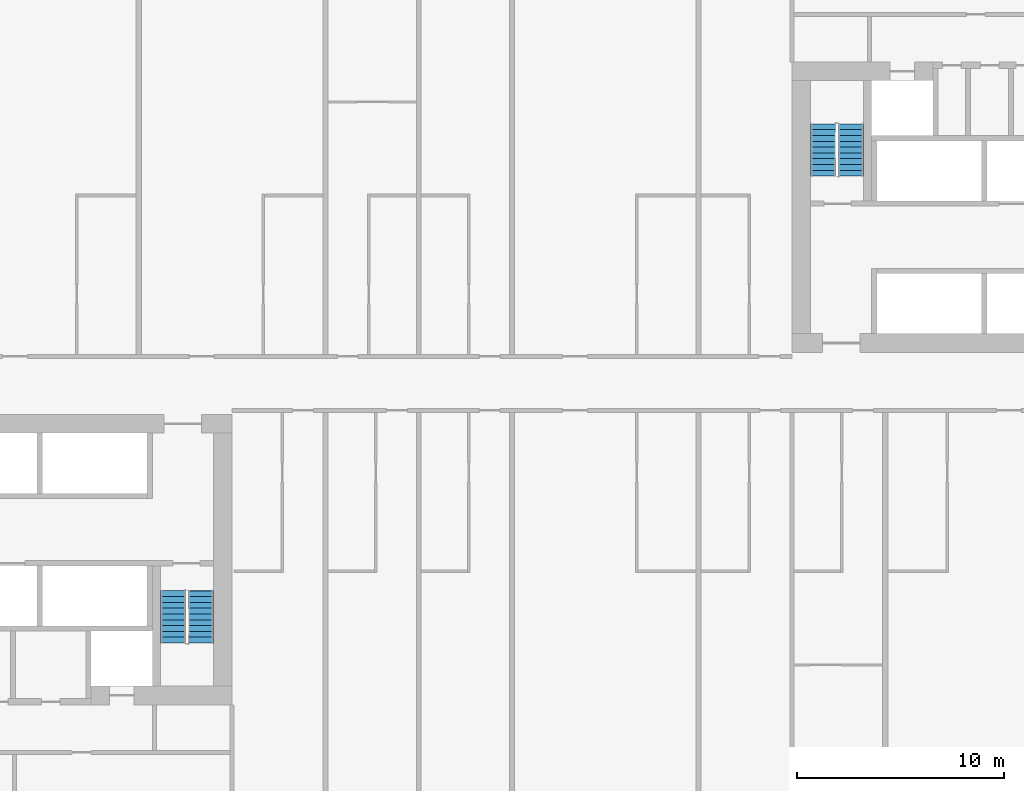
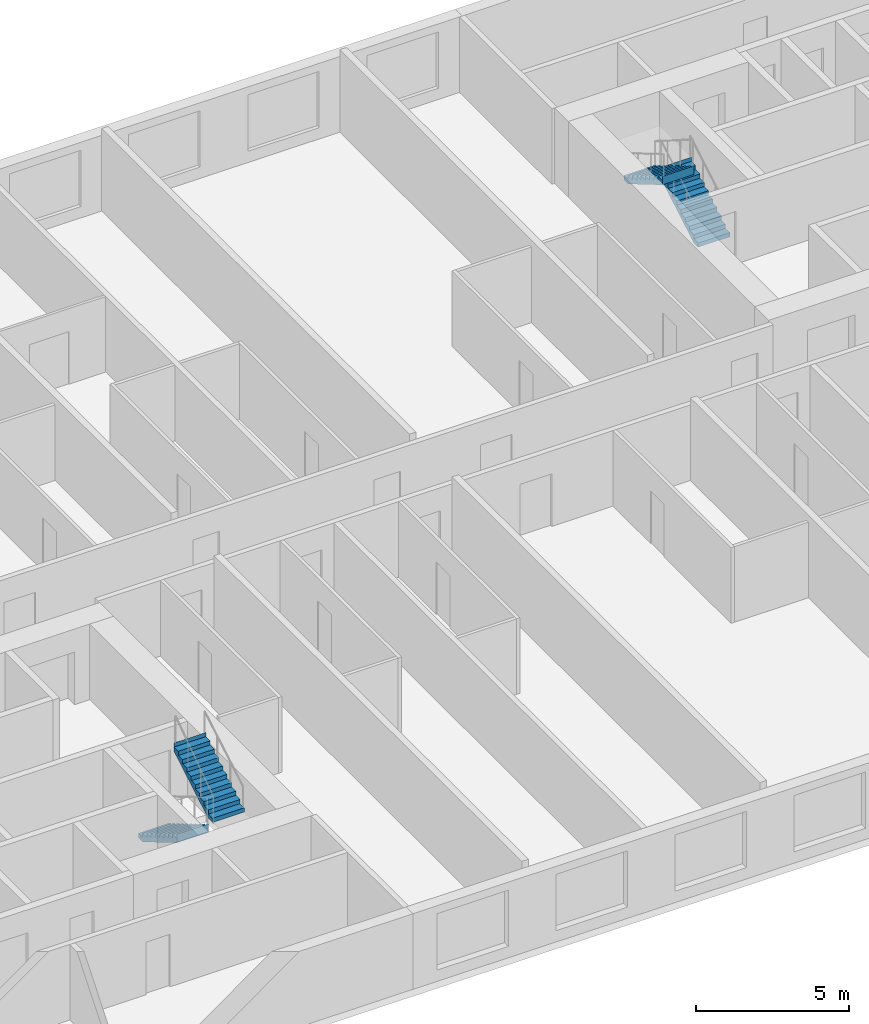
# One storey, part 10 of 12: 4 stair flights, 2 elements without a shape of their own.
"""IFC4 building model written with IfcOpenShell, lengths in metres."""

from ifc_helpers import new_model, si_unit, direction, frame, origin, place, context, subcontext, project, spatial, faceted_brep, material, type_object, element, aggregate, save


model = new_model("IFC4")

# Units and contexts
model_context = context("Model", 3, precision=1e-05, world=origin(), true_north=direction((0.0, 1.0)))
body_context = subcontext(model_context, "Body", "Model", "MODEL_VIEW")
ifc_project = project(units=[si_unit("LENGTHUNIT", "METRE"), si_unit("AREAUNIT", "SQUARE_METRE"), si_unit("VOLUMEUNIT", "CUBIC_METRE"), si_unit("PLANEANGLEUNIT", "RADIAN"), si_unit("MASSUNIT", "GRAM", prefix="KILO")], contexts=[model_context])

# Site, building, storey
site_placement = place(None, origin())
site = spatial("IfcSite", under=ifc_project, at=site_placement, CompositionType="ELEMENT")
building_placement = place(site_placement, origin())
building = spatial("IfcBuilding", under=site, at=building_placement, Name="Kajstack Hotel Tower", CompositionType="ELEMENT")
storey_placement = place(building_placement, frame((0.0, 0.0, 83.10009765625)))
storey = spatial("IfcBuildingStorey", under=building, at=storey_placement, Name="L16", CompositionType="ELEMENT", Elevation=83.10009765625)

# Stair, stair flights
ifc_material = material(Name="Concrete C40/50", Category="concrete")
stair_type = type_object("IfcStairType", Name="Exit stair 1200", PredefinedType="HALF_TURN_STAIR", material=ifc_material)
stair_1_placement = place(storey_placement, origin())
stair_1 = element("IfcStair", 1, at=stair_1_placement, inside=storey, type_object=stair_type, Name="L16 stair W2", PredefinedType="HALF_TURN_STAIR")
stair_flight_type = type_object("IfcStairFlightType", Name="Exit stair flight 1200", PredefinedType="STRAIGHT", material=ifc_material)
stair_flight_1_placement = place(storey_placement, frame((-16.35009765625, -10.0, 0.0), z_axis=(0.0, 0.0, 1.0), x_axis=(0.0, -1.0, 0.0)))
stair_flight_1 = element("IfcStairFlight", 2, at=stair_flight_1_placement, type_object=stair_flight_type, Name="W2 flight 1", NumberOfRisers=10, NumberOfTreads=9, PredefinedType="STRAIGHT", RiserHeight=0.165, TreadLength=0.28, context=body_context, shape_type="Brep", body=[
    faceted_brep([(0.295654296875, -0.60009765625, 0.0), (2.5205078125, -0.60009765625, 1.31103515625), (2.5205078125, -0.60009765625, 1.64990234375), (2.52001953125, -0.60009765625, 1.64990234375), (2.52001953125, -0.60009765625, 1.485107421875), (2.239990234375, -0.60009765625, 1.485107421875), (2.239990234375, -0.60009765625, 1.320068359375), (1.9599609375, -0.60009765625, 1.320068359375), (1.9599609375, -0.60009765625, 1.155029296875), (1.679931640625, -0.60009765625, 1.155029296875), (1.679931640625, -0.60009765625, 0.989990234375), (1.39990234375, -0.60009765625, 0.989990234375), (1.39990234375, -0.60009765625, 0.824951171875), (1.1201171875, -0.60009765625, 0.824951171875), (1.1201171875, -0.60009765625, 0.659912109375), (0.840087890625, -0.60009765625, 0.659912109375), (0.840087890625, -0.60009765625, 0.4951171875), (0.56005859375, -0.60009765625, 0.4951171875), (0.56005859375, -0.60009765625, 0.330078125), (0.280029296875, -0.60009765625, 0.330078125), (0.280029296875, -0.60009765625, 0.1650390625), (-0.00048828125, -0.60009765625, 0.1650390625), (-0.00048828125, -0.60009765625, 0.0), (-0.00048828125, 0.60009765625, 0.0), (-0.00048828125, 0.60009765625, 0.1650390625), (0.280029296875, 0.60009765625, 0.1650390625), (0.280029296875, 0.60009765625, 0.330078125), (0.56005859375, 0.60009765625, 0.330078125), (0.56005859375, 0.60009765625, 0.4951171875), (0.840087890625, 0.60009765625, 0.4951171875), (0.840087890625, 0.60009765625, 0.659912109375), (1.1201171875, 0.60009765625, 0.659912109375), (1.1201171875, 0.60009765625, 0.824951171875), (1.39990234375, 0.60009765625, 0.824951171875), (1.39990234375, 0.60009765625, 0.989990234375), (1.679931640625, 0.60009765625, 0.989990234375), (1.679931640625, 0.60009765625, 1.155029296875), (1.9599609375, 0.60009765625, 1.155029296875), (1.9599609375, 0.60009765625, 1.320068359375), (2.239990234375, 0.60009765625, 1.320068359375), (2.239990234375, 0.60009765625, 1.485107421875), (2.52001953125, 0.60009765625, 1.485107421875), (2.52001953125, 0.60009765625, 1.64990234375), (2.5205078125, 0.60009765625, 1.64990234375), (2.5205078125, 0.60009765625, 1.31103515625), (0.295654296875, 0.60009765625, 0.0), (-0.00048828125, -0.300048828125, 0.1650390625), (-0.00048828125, 0.0, 0.1650390625), (-0.00048828125, 0.300048828125, 0.1650390625), (-0.00048828125, 0.300048828125, 0.0), (-0.00048828125, 0.0, 0.0), (-0.00048828125, -0.300048828125, 0.0), (0.280029296875, -0.300048828125, 0.1650390625), (0.280029296875, 0.0, 0.1650390625), (0.280029296875, 0.300048828125, 0.1650390625), (0.280029296875, -0.300048828125, 0.330078125), (0.280029296875, 0.0, 0.330078125), (0.280029296875, 0.300048828125, 0.330078125), (0.56005859375, -0.300048828125, 0.330078125), (0.56005859375, 0.0, 0.330078125), (0.56005859375, 0.300048828125, 0.330078125), (0.56005859375, -0.300048828125, 0.4951171875), (0.56005859375, 0.0, 0.4951171875), (0.56005859375, 0.300048828125, 0.4951171875), (0.840087890625, -0.300048828125, 0.4951171875), (0.840087890625, 0.0, 0.4951171875), (0.840087890625, 0.300048828125, 0.4951171875), (0.840087890625, -0.300048828125, 0.659912109375), (0.840087890625, 0.0, 0.659912109375), (0.840087890625, 0.300048828125, 0.659912109375), (1.1201171875, -0.300048828125, 0.659912109375), (1.1201171875, 0.0, 0.659912109375), (1.1201171875, 0.300048828125, 0.659912109375), (1.1201171875, -0.300048828125, 0.824951171875), (1.1201171875, 0.0, 0.824951171875), (1.1201171875, 0.300048828125, 0.824951171875), (1.39990234375, -0.300048828125, 0.824951171875), (1.39990234375, 0.0, 0.824951171875), (1.39990234375, 0.300048828125, 0.824951171875), (1.39990234375, -0.300048828125, 0.989990234375), (1.39990234375, 0.0, 0.989990234375), (1.39990234375, 0.300048828125, 0.989990234375), (1.679931640625, -0.300048828125, 0.989990234375), (1.679931640625, 0.0, 0.989990234375), (1.679931640625, 0.300048828125, 0.989990234375), (1.679931640625, -0.300048828125, 1.155029296875), (1.679931640625, 0.0, 1.155029296875), (1.679931640625, 0.300048828125, 1.155029296875), (1.9599609375, -0.300048828125, 1.155029296875), (1.9599609375, 0.0, 1.155029296875), (1.9599609375, 0.300048828125, 1.155029296875), (1.9599609375, -0.300048828125, 1.320068359375), (1.9599609375, 0.0, 1.320068359375), (1.9599609375, 0.300048828125, 1.320068359375), (2.239990234375, -0.300048828125, 1.320068359375), (2.239990234375, 0.0, 1.320068359375), (2.239990234375, 0.300048828125, 1.320068359375), (2.239990234375, -0.300048828125, 1.485107421875), (2.239990234375, 0.0, 1.485107421875), (2.239990234375, 0.300048828125, 1.485107421875), (2.52001953125, -0.300048828125, 1.485107421875), (2.52001953125, 0.0, 1.485107421875), (2.52001953125, 0.300048828125, 1.485107421875), (2.52001953125, -0.300048828125, 1.64990234375), (2.52001953125, 0.0, 1.64990234375), (2.52001953125, 0.300048828125, 1.64990234375), (2.5205078125, -0.300048828125, 1.64990234375), (2.5205078125, 0.0, 1.64990234375), (2.5205078125, 0.300048828125, 1.64990234375), (2.5205078125, -0.300048828125, 1.31103515625), (2.5205078125, 0.0, 1.31103515625), (2.5205078125, 0.300048828125, 1.31103515625), (0.295654296875, -0.300048828125, 0.0), (0.295654296875, 0.0, 0.0), (0.295654296875, 0.300048828125, 0.0)], [[[0, 1, 2, 3, 4, 5, 6, 7, 8, 9, 10, 11, 12, 13, 14, 15, 16, 17, 18, 19, 20, 21, 22]], [[23, 24, 25, 26, 27, 28, 29, 30, 31, 32, 33, 34, 35, 36, 37, 38, 39, 40, 41, 42, 43, 44, 45]], [[21, 46, 47, 48, 24, 23, 49, 50, 51, 22]], [[20, 52, 53, 54, 25, 24, 48, 47, 46, 21]], [[19, 55, 56, 57, 26, 25, 54, 53, 52, 20]], [[18, 58, 59, 60, 27, 26, 57, 56, 55, 19]], [[17, 61, 62, 63, 28, 27, 60, 59, 58, 18]], [[16, 64, 65, 66, 29, 28, 63, 62, 61, 17]], [[15, 67, 68, 69, 30, 29, 66, 65, 64, 16]], [[14, 70, 71, 72, 31, 30, 69, 68, 67, 15]], [[13, 73, 74, 75, 32, 31, 72, 71, 70, 14]], [[12, 76, 77, 78, 33, 32, 75, 74, 73, 13]], [[11, 79, 80, 81, 34, 33, 78, 77, 76, 12]], [[10, 82, 83, 84, 35, 34, 81, 80, 79, 11]], [[9, 85, 86, 87, 36, 35, 84, 83, 82, 10]], [[8, 88, 89, 90, 37, 36, 87, 86, 85, 9]], [[7, 91, 92, 93, 38, 37, 90, 89, 88, 8]], [[6, 94, 95, 96, 39, 38, 93, 92, 91, 7]], [[5, 97, 98, 99, 40, 39, 96, 95, 94, 6]], [[4, 100, 101, 102, 41, 40, 99, 98, 97, 5]], [[3, 103, 104, 105, 42, 41, 102, 101, 100, 4]], [[2, 106, 107, 108, 43, 42, 105, 104, 103, 3]], [[1, 109, 110, 111, 44, 43, 108, 107, 106, 2]], [[0, 112, 113, 114, 45, 44, 111, 110, 109, 1]], [[22, 51, 50, 49, 23, 45, 114, 113, 112, 0]]]),
])
stair_flight_2_placement = place(storey_placement, frame((-15.0, -12.52001953125, 1.64990234375), z_axis=(0.0, 0.0, 1.0), x_axis=(0.0, 1.0, 0.0)))
stair_flight_2 = element("IfcStairFlight", 3, at=stair_flight_2_placement, type_object=stair_flight_type, Name="W2 flight 2", NumberOfRisers=10, NumberOfTreads=9, PredefinedType="STRAIGHT", RiserHeight=0.165, TreadLength=0.28, context=body_context, shape_type="Brep", body=[
    faceted_brep([(0.295654296875, -0.60009765625, 0.0), (2.5205078125, -0.60009765625, 1.31103515625), (2.5205078125, -0.60009765625, 1.64990234375), (2.52001953125, -0.60009765625, 1.64990234375), (2.52001953125, -0.60009765625, 1.485107421875), (2.239990234375, -0.60009765625, 1.485107421875), (2.239990234375, -0.60009765625, 1.320068359375), (1.9599609375, -0.60009765625, 1.320068359375), (1.9599609375, -0.60009765625, 1.155029296875), (1.679931640625, -0.60009765625, 1.155029296875), (1.679931640625, -0.60009765625, 0.989990234375), (1.39990234375, -0.60009765625, 0.989990234375), (1.39990234375, -0.60009765625, 0.824951171875), (1.1201171875, -0.60009765625, 0.824951171875), (1.1201171875, -0.60009765625, 0.659912109375), (0.840087890625, -0.60009765625, 0.659912109375), (0.840087890625, -0.60009765625, 0.4951171875), (0.56005859375, -0.60009765625, 0.4951171875), (0.56005859375, -0.60009765625, 0.330078125), (0.280029296875, -0.60009765625, 0.330078125), (0.280029296875, -0.60009765625, 0.1650390625), (-0.00048828125, -0.60009765625, 0.1650390625), (-0.00048828125, -0.60009765625, 0.0), (-0.00048828125, 0.60009765625, 0.0), (-0.00048828125, 0.60009765625, 0.1650390625), (0.280029296875, 0.60009765625, 0.1650390625), (0.280029296875, 0.60009765625, 0.330078125), (0.56005859375, 0.60009765625, 0.330078125), (0.56005859375, 0.60009765625, 0.4951171875), (0.840087890625, 0.60009765625, 0.4951171875), (0.840087890625, 0.60009765625, 0.659912109375), (1.1201171875, 0.60009765625, 0.659912109375), (1.1201171875, 0.60009765625, 0.824951171875), (1.39990234375, 0.60009765625, 0.824951171875), (1.39990234375, 0.60009765625, 0.989990234375), (1.679931640625, 0.60009765625, 0.989990234375), (1.679931640625, 0.60009765625, 1.155029296875), (1.9599609375, 0.60009765625, 1.155029296875), (1.9599609375, 0.60009765625, 1.320068359375), (2.239990234375, 0.60009765625, 1.320068359375), (2.239990234375, 0.60009765625, 1.485107421875), (2.52001953125, 0.60009765625, 1.485107421875), (2.52001953125, 0.60009765625, 1.64990234375), (2.5205078125, 0.60009765625, 1.64990234375), (2.5205078125, 0.60009765625, 1.31103515625), (0.295654296875, 0.60009765625, 0.0), (-0.00048828125, -0.300048828125, 0.1650390625), (-0.00048828125, 0.0, 0.1650390625), (-0.00048828125, 0.300048828125, 0.1650390625), (-0.00048828125, 0.300048828125, 0.0), (-0.00048828125, 0.0, 0.0), (-0.00048828125, -0.300048828125, 0.0), (0.280029296875, -0.300048828125, 0.1650390625), (0.280029296875, 0.0, 0.1650390625), (0.280029296875, 0.300048828125, 0.1650390625), (0.280029296875, -0.300048828125, 0.330078125), (0.280029296875, 0.0, 0.330078125), (0.280029296875, 0.300048828125, 0.330078125), (0.56005859375, -0.300048828125, 0.330078125), (0.56005859375, 0.0, 0.330078125), (0.56005859375, 0.300048828125, 0.330078125), (0.56005859375, -0.300048828125, 0.4951171875), (0.56005859375, 0.0, 0.4951171875), (0.56005859375, 0.300048828125, 0.4951171875), (0.840087890625, -0.300048828125, 0.4951171875), (0.840087890625, 0.0, 0.4951171875), (0.840087890625, 0.300048828125, 0.4951171875), (0.840087890625, -0.300048828125, 0.659912109375), (0.840087890625, 0.0, 0.659912109375), (0.840087890625, 0.300048828125, 0.659912109375), (1.1201171875, -0.300048828125, 0.659912109375), (1.1201171875, 0.0, 0.659912109375), (1.1201171875, 0.300048828125, 0.659912109375), (1.1201171875, -0.300048828125, 0.824951171875), (1.1201171875, 0.0, 0.824951171875), (1.1201171875, 0.300048828125, 0.824951171875), (1.39990234375, -0.300048828125, 0.824951171875), (1.39990234375, 0.0, 0.824951171875), (1.39990234375, 0.300048828125, 0.824951171875), (1.39990234375, -0.300048828125, 0.989990234375), (1.39990234375, 0.0, 0.989990234375), (1.39990234375, 0.300048828125, 0.989990234375), (1.679931640625, -0.300048828125, 0.989990234375), (1.679931640625, 0.0, 0.989990234375), (1.679931640625, 0.300048828125, 0.989990234375), (1.679931640625, -0.300048828125, 1.155029296875), (1.679931640625, 0.0, 1.155029296875), (1.679931640625, 0.300048828125, 1.155029296875), (1.9599609375, -0.300048828125, 1.155029296875), (1.9599609375, 0.0, 1.155029296875), (1.9599609375, 0.300048828125, 1.155029296875), (1.9599609375, -0.300048828125, 1.320068359375), (1.9599609375, 0.0, 1.320068359375), (1.9599609375, 0.300048828125, 1.320068359375), (2.239990234375, -0.300048828125, 1.320068359375), (2.239990234375, 0.0, 1.320068359375), (2.239990234375, 0.300048828125, 1.320068359375), (2.239990234375, -0.300048828125, 1.485107421875), (2.239990234375, 0.0, 1.485107421875), (2.239990234375, 0.300048828125, 1.485107421875), (2.52001953125, -0.300048828125, 1.485107421875), (2.52001953125, 0.0, 1.485107421875), (2.52001953125, 0.300048828125, 1.485107421875), (2.52001953125, -0.300048828125, 1.64990234375), (2.52001953125, 0.0, 1.64990234375), (2.52001953125, 0.300048828125, 1.64990234375), (2.5205078125, -0.300048828125, 1.64990234375), (2.5205078125, 0.0, 1.64990234375), (2.5205078125, 0.300048828125, 1.64990234375), (2.5205078125, -0.300048828125, 1.31103515625), (2.5205078125, 0.0, 1.31103515625), (2.5205078125, 0.300048828125, 1.31103515625), (0.295654296875, -0.300048828125, 0.0), (0.295654296875, 0.0, 0.0), (0.295654296875, 0.300048828125, 0.0)], [[[0, 1, 2, 3, 4, 5, 6, 7, 8, 9, 10, 11, 12, 13, 14, 15, 16, 17, 18, 19, 20, 21, 22]], [[23, 24, 25, 26, 27, 28, 29, 30, 31, 32, 33, 34, 35, 36, 37, 38, 39, 40, 41, 42, 43, 44, 45]], [[21, 46, 47, 48, 24, 23, 49, 50, 51, 22]], [[20, 52, 53, 54, 25, 24, 48, 47, 46, 21]], [[19, 55, 56, 57, 26, 25, 54, 53, 52, 20]], [[18, 58, 59, 60, 27, 26, 57, 56, 55, 19]], [[17, 61, 62, 63, 28, 27, 60, 59, 58, 18]], [[16, 64, 65, 66, 29, 28, 63, 62, 61, 17]], [[15, 67, 68, 69, 30, 29, 66, 65, 64, 16]], [[14, 70, 71, 72, 31, 30, 69, 68, 67, 15]], [[13, 73, 74, 75, 32, 31, 72, 71, 70, 14]], [[12, 76, 77, 78, 33, 32, 75, 74, 73, 13]], [[11, 79, 80, 81, 34, 33, 78, 77, 76, 12]], [[10, 82, 83, 84, 35, 34, 81, 80, 79, 11]], [[9, 85, 86, 87, 36, 35, 84, 83, 82, 10]], [[8, 88, 89, 90, 37, 36, 87, 86, 85, 9]], [[7, 91, 92, 93, 38, 37, 90, 89, 88, 8]], [[6, 94, 95, 96, 39, 38, 93, 92, 91, 7]], [[5, 97, 98, 99, 40, 39, 96, 95, 94, 6]], [[4, 100, 101, 102, 41, 40, 99, 98, 97, 5]], [[3, 103, 104, 105, 42, 41, 102, 101, 100, 4]], [[2, 106, 107, 108, 43, 42, 105, 104, 103, 3]], [[1, 109, 110, 111, 44, 43, 108, 107, 106, 2]], [[0, 112, 113, 114, 45, 44, 111, 110, 109, 1]], [[22, 51, 50, 49, 23, 45, 114, 113, 112, 0]]]),
])
aggregate(stair_1, [stair_flight_1, stair_flight_2])

stair_2_placement = place(storey_placement, origin())
stair_2 = element("IfcStair", 4, at=stair_2_placement, inside=storey, type_object=stair_type, Name="L16 stair E2", PredefinedType="HALF_TURN_STAIR")
stair_flight_3_placement = place(storey_placement, frame((16.35009765625, 10.0, 0.0), z_axis=(0.0, 0.0, 1.0), x_axis=(0.0, 1.0, 0.0)))
stair_flight_3 = element("IfcStairFlight", 5, at=stair_flight_3_placement, type_object=stair_flight_type, Name="E2 flight 1", NumberOfRisers=10, NumberOfTreads=9, PredefinedType="STRAIGHT", RiserHeight=0.165, TreadLength=0.28, context=body_context, shape_type="Brep", body=[
    faceted_brep([(0.295654296875, -0.60009765625, 0.0), (2.5205078125, -0.60009765625, 1.31103515625), (2.5205078125, -0.60009765625, 1.64990234375), (2.52001953125, -0.60009765625, 1.64990234375), (2.52001953125, -0.60009765625, 1.485107421875), (2.239990234375, -0.60009765625, 1.485107421875), (2.239990234375, -0.60009765625, 1.320068359375), (1.9599609375, -0.60009765625, 1.320068359375), (1.9599609375, -0.60009765625, 1.155029296875), (1.679931640625, -0.60009765625, 1.155029296875), (1.679931640625, -0.60009765625, 0.989990234375), (1.39990234375, -0.60009765625, 0.989990234375), (1.39990234375, -0.60009765625, 0.824951171875), (1.1201171875, -0.60009765625, 0.824951171875), (1.1201171875, -0.60009765625, 0.659912109375), (0.840087890625, -0.60009765625, 0.659912109375), (0.840087890625, -0.60009765625, 0.4951171875), (0.56005859375, -0.60009765625, 0.4951171875), (0.56005859375, -0.60009765625, 0.330078125), (0.280029296875, -0.60009765625, 0.330078125), (0.280029296875, -0.60009765625, 0.1650390625), (-0.00048828125, -0.60009765625, 0.1650390625), (-0.00048828125, -0.60009765625, 0.0), (-0.00048828125, 0.60009765625, 0.0), (-0.00048828125, 0.60009765625, 0.1650390625), (0.280029296875, 0.60009765625, 0.1650390625), (0.280029296875, 0.60009765625, 0.330078125), (0.56005859375, 0.60009765625, 0.330078125), (0.56005859375, 0.60009765625, 0.4951171875), (0.840087890625, 0.60009765625, 0.4951171875), (0.840087890625, 0.60009765625, 0.659912109375), (1.1201171875, 0.60009765625, 0.659912109375), (1.1201171875, 0.60009765625, 0.824951171875), (1.39990234375, 0.60009765625, 0.824951171875), (1.39990234375, 0.60009765625, 0.989990234375), (1.679931640625, 0.60009765625, 0.989990234375), (1.679931640625, 0.60009765625, 1.155029296875), (1.9599609375, 0.60009765625, 1.155029296875), (1.9599609375, 0.60009765625, 1.320068359375), (2.239990234375, 0.60009765625, 1.320068359375), (2.239990234375, 0.60009765625, 1.485107421875), (2.52001953125, 0.60009765625, 1.485107421875), (2.52001953125, 0.60009765625, 1.64990234375), (2.5205078125, 0.60009765625, 1.64990234375), (2.5205078125, 0.60009765625, 1.31103515625), (0.295654296875, 0.60009765625, 0.0), (-0.00048828125, -0.300048828125, 0.1650390625), (-0.00048828125, 0.0, 0.1650390625), (-0.00048828125, 0.300048828125, 0.1650390625), (-0.00048828125, 0.300048828125, 0.0), (-0.00048828125, 0.0, 0.0), (-0.00048828125, -0.300048828125, 0.0), (0.280029296875, -0.300048828125, 0.1650390625), (0.280029296875, 0.0, 0.1650390625), (0.280029296875, 0.300048828125, 0.1650390625), (0.280029296875, -0.300048828125, 0.330078125), (0.280029296875, 0.0, 0.330078125), (0.280029296875, 0.300048828125, 0.330078125), (0.56005859375, -0.300048828125, 0.330078125), (0.56005859375, 0.0, 0.330078125), (0.56005859375, 0.300048828125, 0.330078125), (0.56005859375, -0.300048828125, 0.4951171875), (0.56005859375, 0.0, 0.4951171875), (0.56005859375, 0.300048828125, 0.4951171875), (0.840087890625, -0.300048828125, 0.4951171875), (0.840087890625, 0.0, 0.4951171875), (0.840087890625, 0.300048828125, 0.4951171875), (0.840087890625, -0.300048828125, 0.659912109375), (0.840087890625, 0.0, 0.659912109375), (0.840087890625, 0.300048828125, 0.659912109375), (1.1201171875, -0.300048828125, 0.659912109375), (1.1201171875, 0.0, 0.659912109375), (1.1201171875, 0.300048828125, 0.659912109375), (1.1201171875, -0.300048828125, 0.824951171875), (1.1201171875, 0.0, 0.824951171875), (1.1201171875, 0.300048828125, 0.824951171875), (1.39990234375, -0.300048828125, 0.824951171875), (1.39990234375, 0.0, 0.824951171875), (1.39990234375, 0.300048828125, 0.824951171875), (1.39990234375, -0.300048828125, 0.989990234375), (1.39990234375, 0.0, 0.989990234375), (1.39990234375, 0.300048828125, 0.989990234375), (1.679931640625, -0.300048828125, 0.989990234375), (1.679931640625, 0.0, 0.989990234375), (1.679931640625, 0.300048828125, 0.989990234375), (1.679931640625, -0.300048828125, 1.155029296875), (1.679931640625, 0.0, 1.155029296875), (1.679931640625, 0.300048828125, 1.155029296875), (1.9599609375, -0.300048828125, 1.155029296875), (1.9599609375, 0.0, 1.155029296875), (1.9599609375, 0.300048828125, 1.155029296875), (1.9599609375, -0.300048828125, 1.320068359375), (1.9599609375, 0.0, 1.320068359375), (1.9599609375, 0.300048828125, 1.320068359375), (2.239990234375, -0.300048828125, 1.320068359375), (2.239990234375, 0.0, 1.320068359375), (2.239990234375, 0.300048828125, 1.320068359375), (2.239990234375, -0.300048828125, 1.485107421875), (2.239990234375, 0.0, 1.485107421875), (2.239990234375, 0.300048828125, 1.485107421875), (2.52001953125, -0.300048828125, 1.485107421875), (2.52001953125, 0.0, 1.485107421875), (2.52001953125, 0.300048828125, 1.485107421875), (2.52001953125, -0.300048828125, 1.64990234375), (2.52001953125, 0.0, 1.64990234375), (2.52001953125, 0.300048828125, 1.64990234375), (2.5205078125, -0.300048828125, 1.64990234375), (2.5205078125, 0.0, 1.64990234375), (2.5205078125, 0.300048828125, 1.64990234375), (2.5205078125, -0.300048828125, 1.31103515625), (2.5205078125, 0.0, 1.31103515625), (2.5205078125, 0.300048828125, 1.31103515625), (0.295654296875, -0.300048828125, 0.0), (0.295654296875, 0.0, 0.0), (0.295654296875, 0.300048828125, 0.0)], [[[0, 1, 2, 3, 4, 5, 6, 7, 8, 9, 10, 11, 12, 13, 14, 15, 16, 17, 18, 19, 20, 21, 22]], [[23, 24, 25, 26, 27, 28, 29, 30, 31, 32, 33, 34, 35, 36, 37, 38, 39, 40, 41, 42, 43, 44, 45]], [[21, 46, 47, 48, 24, 23, 49, 50, 51, 22]], [[20, 52, 53, 54, 25, 24, 48, 47, 46, 21]], [[19, 55, 56, 57, 26, 25, 54, 53, 52, 20]], [[18, 58, 59, 60, 27, 26, 57, 56, 55, 19]], [[17, 61, 62, 63, 28, 27, 60, 59, 58, 18]], [[16, 64, 65, 66, 29, 28, 63, 62, 61, 17]], [[15, 67, 68, 69, 30, 29, 66, 65, 64, 16]], [[14, 70, 71, 72, 31, 30, 69, 68, 67, 15]], [[13, 73, 74, 75, 32, 31, 72, 71, 70, 14]], [[12, 76, 77, 78, 33, 32, 75, 74, 73, 13]], [[11, 79, 80, 81, 34, 33, 78, 77, 76, 12]], [[10, 82, 83, 84, 35, 34, 81, 80, 79, 11]], [[9, 85, 86, 87, 36, 35, 84, 83, 82, 10]], [[8, 88, 89, 90, 37, 36, 87, 86, 85, 9]], [[7, 91, 92, 93, 38, 37, 90, 89, 88, 8]], [[6, 94, 95, 96, 39, 38, 93, 92, 91, 7]], [[5, 97, 98, 99, 40, 39, 96, 95, 94, 6]], [[4, 100, 101, 102, 41, 40, 99, 98, 97, 5]], [[3, 103, 104, 105, 42, 41, 102, 101, 100, 4]], [[2, 106, 107, 108, 43, 42, 105, 104, 103, 3]], [[1, 109, 110, 111, 44, 43, 108, 107, 106, 2]], [[0, 112, 113, 114, 45, 44, 111, 110, 109, 1]], [[22, 51, 50, 49, 23, 45, 114, 113, 112, 0]]]),
])
stair_flight_4_placement = place(storey_placement, frame((15.0, 12.52001953125, 1.64990234375), z_axis=(0.0, 0.0, 1.0), x_axis=(0.0, -1.0, 0.0)))
stair_flight_4 = element("IfcStairFlight", 6, at=stair_flight_4_placement, type_object=stair_flight_type, Name="E2 flight 2", NumberOfRisers=10, NumberOfTreads=9, PredefinedType="STRAIGHT", RiserHeight=0.165, TreadLength=0.28, context=body_context, shape_type="Brep", body=[
    faceted_brep([(0.295654296875, -0.60009765625, 0.0), (2.5205078125, -0.60009765625, 1.31103515625), (2.5205078125, -0.60009765625, 1.64990234375), (2.52001953125, -0.60009765625, 1.64990234375), (2.52001953125, -0.60009765625, 1.485107421875), (2.239990234375, -0.60009765625, 1.485107421875), (2.239990234375, -0.60009765625, 1.320068359375), (1.9599609375, -0.60009765625, 1.320068359375), (1.9599609375, -0.60009765625, 1.155029296875), (1.679931640625, -0.60009765625, 1.155029296875), (1.679931640625, -0.60009765625, 0.989990234375), (1.39990234375, -0.60009765625, 0.989990234375), (1.39990234375, -0.60009765625, 0.824951171875), (1.1201171875, -0.60009765625, 0.824951171875), (1.1201171875, -0.60009765625, 0.659912109375), (0.840087890625, -0.60009765625, 0.659912109375), (0.840087890625, -0.60009765625, 0.4951171875), (0.56005859375, -0.60009765625, 0.4951171875), (0.56005859375, -0.60009765625, 0.330078125), (0.280029296875, -0.60009765625, 0.330078125), (0.280029296875, -0.60009765625, 0.1650390625), (-0.00048828125, -0.60009765625, 0.1650390625), (-0.00048828125, -0.60009765625, 0.0), (-0.00048828125, 0.60009765625, 0.0), (-0.00048828125, 0.60009765625, 0.1650390625), (0.280029296875, 0.60009765625, 0.1650390625), (0.280029296875, 0.60009765625, 0.330078125), (0.56005859375, 0.60009765625, 0.330078125), (0.56005859375, 0.60009765625, 0.4951171875), (0.840087890625, 0.60009765625, 0.4951171875), (0.840087890625, 0.60009765625, 0.659912109375), (1.1201171875, 0.60009765625, 0.659912109375), (1.1201171875, 0.60009765625, 0.824951171875), (1.39990234375, 0.60009765625, 0.824951171875), (1.39990234375, 0.60009765625, 0.989990234375), (1.679931640625, 0.60009765625, 0.989990234375), (1.679931640625, 0.60009765625, 1.155029296875), (1.9599609375, 0.60009765625, 1.155029296875), (1.9599609375, 0.60009765625, 1.320068359375), (2.239990234375, 0.60009765625, 1.320068359375), (2.239990234375, 0.60009765625, 1.485107421875), (2.52001953125, 0.60009765625, 1.485107421875), (2.52001953125, 0.60009765625, 1.64990234375), (2.5205078125, 0.60009765625, 1.64990234375), (2.5205078125, 0.60009765625, 1.31103515625), (0.295654296875, 0.60009765625, 0.0), (-0.00048828125, -0.300048828125, 0.1650390625), (-0.00048828125, 0.0, 0.1650390625), (-0.00048828125, 0.300048828125, 0.1650390625), (-0.00048828125, 0.300048828125, 0.0), (-0.00048828125, 0.0, 0.0), (-0.00048828125, -0.300048828125, 0.0), (0.280029296875, -0.300048828125, 0.1650390625), (0.280029296875, 0.0, 0.1650390625), (0.280029296875, 0.300048828125, 0.1650390625), (0.280029296875, -0.300048828125, 0.330078125), (0.280029296875, 0.0, 0.330078125), (0.280029296875, 0.300048828125, 0.330078125), (0.56005859375, -0.300048828125, 0.330078125), (0.56005859375, 0.0, 0.330078125), (0.56005859375, 0.300048828125, 0.330078125), (0.56005859375, -0.300048828125, 0.4951171875), (0.56005859375, 0.0, 0.4951171875), (0.56005859375, 0.300048828125, 0.4951171875), (0.840087890625, -0.300048828125, 0.4951171875), (0.840087890625, 0.0, 0.4951171875), (0.840087890625, 0.300048828125, 0.4951171875), (0.840087890625, -0.300048828125, 0.659912109375), (0.840087890625, 0.0, 0.659912109375), (0.840087890625, 0.300048828125, 0.659912109375), (1.1201171875, -0.300048828125, 0.659912109375), (1.1201171875, 0.0, 0.659912109375), (1.1201171875, 0.300048828125, 0.659912109375), (1.1201171875, -0.300048828125, 0.824951171875), (1.1201171875, 0.0, 0.824951171875), (1.1201171875, 0.300048828125, 0.824951171875), (1.39990234375, -0.300048828125, 0.824951171875), (1.39990234375, 0.0, 0.824951171875), (1.39990234375, 0.300048828125, 0.824951171875), (1.39990234375, -0.300048828125, 0.989990234375), (1.39990234375, 0.0, 0.989990234375), (1.39990234375, 0.300048828125, 0.989990234375), (1.679931640625, -0.300048828125, 0.989990234375), (1.679931640625, 0.0, 0.989990234375), (1.679931640625, 0.300048828125, 0.989990234375), (1.679931640625, -0.300048828125, 1.155029296875), (1.679931640625, 0.0, 1.155029296875), (1.679931640625, 0.300048828125, 1.155029296875), (1.9599609375, -0.300048828125, 1.155029296875), (1.9599609375, 0.0, 1.155029296875), (1.9599609375, 0.300048828125, 1.155029296875), (1.9599609375, -0.300048828125, 1.320068359375), (1.9599609375, 0.0, 1.320068359375), (1.9599609375, 0.300048828125, 1.320068359375), (2.239990234375, -0.300048828125, 1.320068359375), (2.239990234375, 0.0, 1.320068359375), (2.239990234375, 0.300048828125, 1.320068359375), (2.239990234375, -0.300048828125, 1.485107421875), (2.239990234375, 0.0, 1.485107421875), (2.239990234375, 0.300048828125, 1.485107421875), (2.52001953125, -0.300048828125, 1.485107421875), (2.52001953125, 0.0, 1.485107421875), (2.52001953125, 0.300048828125, 1.485107421875), (2.52001953125, -0.300048828125, 1.64990234375), (2.52001953125, 0.0, 1.64990234375), (2.52001953125, 0.300048828125, 1.64990234375), (2.5205078125, -0.300048828125, 1.64990234375), (2.5205078125, 0.0, 1.64990234375), (2.5205078125, 0.300048828125, 1.64990234375), (2.5205078125, -0.300048828125, 1.31103515625), (2.5205078125, 0.0, 1.31103515625), (2.5205078125, 0.300048828125, 1.31103515625), (0.295654296875, -0.300048828125, 0.0), (0.295654296875, 0.0, 0.0), (0.295654296875, 0.300048828125, 0.0)], [[[0, 1, 2, 3, 4, 5, 6, 7, 8, 9, 10, 11, 12, 13, 14, 15, 16, 17, 18, 19, 20, 21, 22]], [[23, 24, 25, 26, 27, 28, 29, 30, 31, 32, 33, 34, 35, 36, 37, 38, 39, 40, 41, 42, 43, 44, 45]], [[21, 46, 47, 48, 24, 23, 49, 50, 51, 22]], [[20, 52, 53, 54, 25, 24, 48, 47, 46, 21]], [[19, 55, 56, 57, 26, 25, 54, 53, 52, 20]], [[18, 58, 59, 60, 27, 26, 57, 56, 55, 19]], [[17, 61, 62, 63, 28, 27, 60, 59, 58, 18]], [[16, 64, 65, 66, 29, 28, 63, 62, 61, 17]], [[15, 67, 68, 69, 30, 29, 66, 65, 64, 16]], [[14, 70, 71, 72, 31, 30, 69, 68, 67, 15]], [[13, 73, 74, 75, 32, 31, 72, 71, 70, 14]], [[12, 76, 77, 78, 33, 32, 75, 74, 73, 13]], [[11, 79, 80, 81, 34, 33, 78, 77, 76, 12]], [[10, 82, 83, 84, 35, 34, 81, 80, 79, 11]], [[9, 85, 86, 87, 36, 35, 84, 83, 82, 10]], [[8, 88, 89, 90, 37, 36, 87, 86, 85, 9]], [[7, 91, 92, 93, 38, 37, 90, 89, 88, 8]], [[6, 94, 95, 96, 39, 38, 93, 92, 91, 7]], [[5, 97, 98, 99, 40, 39, 96, 95, 94, 6]], [[4, 100, 101, 102, 41, 40, 99, 98, 97, 5]], [[3, 103, 104, 105, 42, 41, 102, 101, 100, 4]], [[2, 106, 107, 108, 43, 42, 105, 104, 103, 3]], [[1, 109, 110, 111, 44, 43, 108, 107, 106, 2]], [[0, 112, 113, 114, 45, 44, 111, 110, 109, 1]], [[22, 51, 50, 49, 23, 45, 114, 113, 112, 0]]]),
])
aggregate(stair_2, [stair_flight_3, stair_flight_4])

save(model, "model.ifc")
